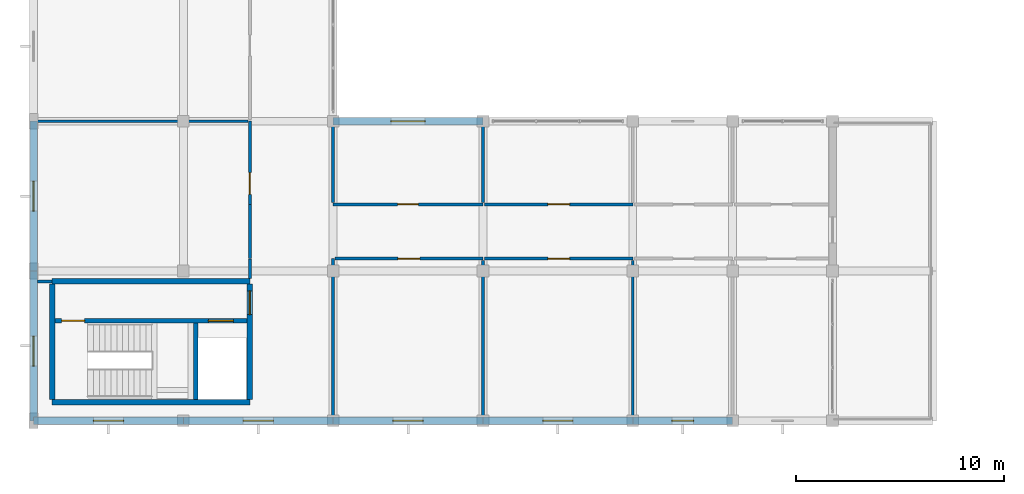
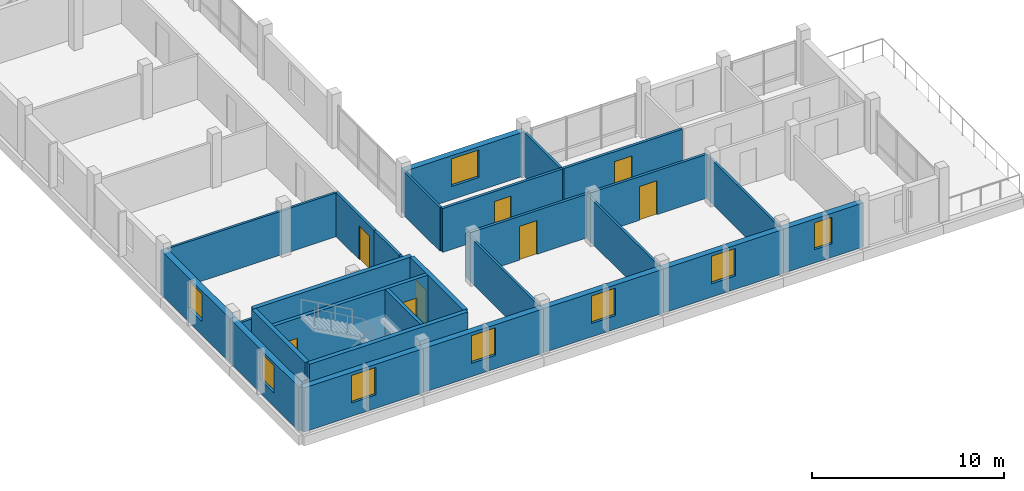
# One storey, part 67 of 84: 28 walls, 8 doors, 8 windows, 16 openings.
"""IFC4 building model written with IfcOpenShell, lengths in metres."""

import ifcopenshell
import ifcopenshell.guid

model = None  # the IFC model being written
_history = None  # IfcOwnerHistory: only IFC2X3 demands one
_inside = {}  # id of a spatial element -> (the spatial element, [elements in it])
_under = {}  # id of a project, library or spatial element -> (it, [spatial elements below it])
_declared = {}  # id of a project -> (the project, [libraries it declares])
_typed = {}  # id of a type object -> (the type object, [elements of that type])
_made_of = {}  # id of a material, layer set ... -> (it, [elements and type objects made of it])


def new_model(schema):
    """Start an empty IFC model of exactly this schema.

    Asked for "IFC4X3", IfcOpenShell would pick the latest addendum, in which some entities
    have other attributes; the version numbers below select the first issue.
    IFC2X3 requires an IfcOwnerHistory on every rooted entity: one is made here for all.
    """
    global model, _history
    if schema == "IFC4X3":
        model = ifcopenshell.file(schema_version=(4, 3, 0, 0))
    else:
        model = ifcopenshell.file(schema=schema)
    _inside.clear()
    _under.clear()
    _declared.clear()
    _typed.clear()
    _made_of.clear()
    _history = None
    if model.schema == "IFC2X3":
        org = make("IfcOrganization", Name="unknown")
        user = make(
            "IfcPersonAndOrganization",
            ThePerson=make("IfcPerson", FamilyName="unknown"),
            TheOrganization=org,
        )
        app = make(
            "IfcApplication",
            ApplicationDeveloper=org,
            Version="unknown",
            ApplicationFullName="unknown",
            ApplicationIdentifier="unknown",
        )
        _history = make(
            "IfcOwnerHistory",
            OwningUser=user,
            OwningApplication=app,
            ChangeAction="ADDED",
            CreationDate=0,
        )
    return model


def make(cls, **values):
    """One entity of the class cls with the attributes given. An attribute that is None is left unset."""
    return model.create_entity(
        cls, **{name: value for name, value in values.items() if value is not None}
    )


def rooted(cls, **values):
    """An entity with a GlobalId (a new one), such as an element, a storey or a relation."""
    return make(cls, GlobalId=ifcopenshell.guid.new(), OwnerHistory=_history, **values)


def si_unit(unit_type, name, prefix=None):
    """IfcSIUnit, for example si_unit("LENGTHUNIT", "METRE", prefix="MILLI")."""
    return make("IfcSIUnit", UnitType=unit_type, Prefix=prefix, Name=name)


def assignment(units):
    """IfcUnitAssignment: the units of a project."""
    return None if units is None else make("IfcUnitAssignment", Units=units)


def point(xyz):
    """IfcCartesianPoint."""
    return None if xyz is None else make("IfcCartesianPoint", Coordinates=xyz)


def direction(xyz):
    """IfcDirection."""
    return None if xyz is None else make("IfcDirection", DirectionRatios=xyz)


def frame(location, z_axis=None, x_axis=None):
    """IfcAxis2Placement3D, a coordinate frame: its origin and axes. An axis left out is left unset."""
    return make(
        "IfcAxis2Placement3D",
        Location=point(location),
        Axis=direction(z_axis),
        RefDirection=direction(x_axis),
    )


def frame_2d(location, x_axis=None):
    """IfcAxis2Placement2D, a coordinate frame in the plane: its origin and x axis."""
    return make(
        "IfcAxis2Placement2D", Location=point(location), RefDirection=direction(x_axis)
    )


def origin():
    """The frame at (0, 0, 0) with its axes left unset."""
    return frame((0.0, 0.0, 0.0))


def origin_with_axes():
    """The frame at (0, 0, 0) with the z axis (0, 0, 1) and the x axis (1, 0, 0) written out."""
    return frame((0.0, 0.0, 0.0), z_axis=(0.0, 0.0, 1.0), x_axis=(1.0, 0.0, 0.0))


def place(relative_to, where):
    """IfcLocalPlacement: puts the frame where relative to a parent placement (None: the world)."""
    return make(
        "IfcLocalPlacement", PlacementRelTo=relative_to, RelativePlacement=where
    )


def context(
    kind, dimensions, precision=None, world=None, true_north=None, identifier=None
):
    """IfcGeometricRepresentationContext, for example the 3D "Model" context."""
    return make(
        "IfcGeometricRepresentationContext",
        ContextIdentifier=identifier,
        ContextType=kind,
        CoordinateSpaceDimension=dimensions,
        Precision=precision,
        WorldCoordinateSystem=world,
        TrueNorth=true_north,
    )


def subcontext(parent, identifier, kind, view, scale=None):
    """IfcGeometricRepresentationSubContext, for example "Body" below "Model"."""
    return make(
        "IfcGeometricRepresentationSubContext",
        ContextIdentifier=identifier,
        ContextType=kind,
        ParentContext=parent,
        TargetScale=scale,
        TargetView=view,
    )


def project(units=None, contexts=None):
    """IfcProject with its units and contexts."""
    return rooted(
        "IfcProject",
        Name="project",
        RepresentationContexts=contexts,
        UnitsInContext=assignment(units),
    )


def spatial(cls, under=None, at=None, **own):
    """A site, building, storey or space (cls), placed at a placement, below another one or the project."""
    s = rooted(cls, ObjectPlacement=at, **own)
    if under is not None:
        _under.setdefault(under.id(), (under, []))[1].append(s)
    return s


def profile(cls, at=None, kind="AREA", **sizes):
    """A parametric profile (cls). Its sizes go by their IFC names, for example OverallWidth=200.0."""
    return make(cls, ProfileType=kind, Position=at, **sizes)


def rectangle(**sizes):
    """IfcRectangleProfileDef."""
    return profile("IfcRectangleProfileDef", **sizes)


def extrude(swept, where, along, depth):
    """IfcExtrudedAreaSolid: the profile swept, set in the frame where, extruded along a direction by depth."""
    return make(
        "IfcExtrudedAreaSolid",
        SweptArea=swept,
        Position=where,
        ExtrudedDirection=direction(along),
        Depth=depth,
    )


def shape(context_of_items, identifier, shape_type, items):
    """IfcShapeRepresentation: the items that make up one representation, for example the "Body"."""
    return make(
        "IfcShapeRepresentation",
        ContextOfItems=context_of_items,
        RepresentationIdentifier=identifier,
        RepresentationType=shape_type,
        Items=items,
    )


def material(Name=None, Category=None):
    """IfcMaterial."""
    return make("IfcMaterial", Name=Name, Category=Category)


def layer(
    of_material, thickness, ventilated=None, Name=None, Category=None, Priority=None
):
    """IfcMaterialLayer: one layer of a wall or slab, of a material (None: an air gap)."""
    return make(
        "IfcMaterialLayer",
        Material=of_material,
        LayerThickness=thickness,
        IsVentilated=ventilated,
        Name=Name,
        Category=Category,
        Priority=Priority,
    )


def layer_set(layers, Name=None):
    """IfcMaterialLayerSet."""
    return make("IfcMaterialLayerSet", MaterialLayers=layers, LayerSetName=Name)


def made_of(thing, what):
    """Note that an element or type object is made of a material, layer set ...; save() writes the relation."""
    if what is not None:
        _made_of.setdefault(what.id(), (what, []))[1].append(thing)
    return thing


def type_object(cls, material=None, **own):
    """A type object (cls), such as IfcWallType, which elements share."""
    return made_of(rooted(cls, **own), material)


def element(
    cls,
    number,
    at=None,
    inside=None,
    cuts=None,
    type_object=None,
    material=None,
    context=None,
    identifier="Body",
    shape_type=None,
    held_by="IfcProductDefinitionShape",
    body=None,
    shapes=None,
    **own,
):
    """One element of the class cls, such as IfcWall. Its Tag is "e" and its number.

    at: its placement. inside: the storey or other place that contains it. cuts: it is an
    opening in that element (IfcRelVoidsElement). A single representation is given by context,
    identifier, shape_type and body (its items); several are given by shapes. held_by: the class
    of the entity that holds the representations. save() writes the other relations.
    """
    e = rooted(cls, Tag="e%d" % number, ObjectPlacement=at, **own)
    if body is not None:
        shapes = [shape(context, identifier, shape_type, body)]
    if shapes is not None:
        e.Representation = make(held_by, Representations=shapes)
    if inside is not None:
        _inside.setdefault(inside.id(), (inside, []))[1].append(e)
    if cuts is not None:
        rooted(
            "IfcRelVoidsElement", RelatingBuildingElement=cuts, RelatedOpeningElement=e
        )
    if type_object is not None:
        _typed.setdefault(type_object.id(), (type_object, []))[1].append(e)
    return made_of(e, material)


def fill(opening, filler):
    """IfcRelFillsElement: the door or window that sits in an opening."""
    return rooted(
        "IfcRelFillsElement",
        RelatingOpeningElement=opening,
        RelatedBuildingElement=filler,
    )


def aggregate(whole, parts):
    """IfcRelAggregates: a whole, such as a stair, and the parts it consists of."""
    return rooted("IfcRelAggregates", RelatingObject=whole, RelatedObjects=parts)


def save(model, path):
    """Write the relations noted so far, then the file.

    IfcRelAggregates (storeys below a building ...), IfcRelContainedInSpatialStructure (elements
    in a storey), IfcRelDefinesByType, IfcRelAssociatesMaterial and IfcRelDeclares: one each for
    every whole, place, type object, material and project.
    """
    for whole, parts in _under.values():
        aggregate(whole, parts)
    for where, things in _inside.values():
        rooted(
            "IfcRelContainedInSpatialStructure",
            RelatedElements=things,
            RelatingStructure=where,
        )
    for kind, things in _typed.values():
        rooted("IfcRelDefinesByType", RelatedObjects=things, RelatingType=kind)
    for what, things in _made_of.values():
        rooted("IfcRelAssociatesMaterial", RelatedObjects=things, RelatingMaterial=what)
    for by, libraries in _declared.values():
        rooted("IfcRelDeclares", RelatingContext=by, RelatedDefinitions=libraries)
    model.write(path)


model = new_model("IFC4")

# Units and contexts
model_context = context("Model", 3, precision=1e-05, world=origin(), true_north=direction((0.0, 1.0)))
body_context = subcontext(model_context, "Body", "Model", "MODEL_VIEW")
ifc_project = project(units=[si_unit("LENGTHUNIT", "METRE"), si_unit("AREAUNIT", "SQUARE_METRE"), si_unit("VOLUMEUNIT", "CUBIC_METRE"), si_unit("PLANEANGLEUNIT", "RADIAN"), si_unit("MASSUNIT", "GRAM", prefix="KILO")], contexts=[model_context])

# Site, building, storey
site_placement = place(None, origin())
site = spatial("IfcSite", under=ifc_project, at=site_placement, CompositionType="ELEMENT")
building_placement = place(site_placement, origin())
building = spatial("IfcBuilding", under=site, at=building_placement, Name="Zornivar Specialist Clinic", CompositionType="ELEMENT")
storey_placement = place(building_placement, frame((0.0, 0.0, 12.300048828125)))
storey = spatial("IfcBuildingStorey", under=building, at=storey_placement, Name="L03", CompositionType="ELEMENT", Elevation=12.300048828125)

# Wall, opening, window
ifc_material_1 = material(Name="Masonry Red-Ochre Brick and Stone Insulated Wall", Category="masonry")
ifc_layer_1 = layer(ifc_material_1, 0.360107421875)
ifc_layer_set_1 = layer_set([ifc_layer_1], Name="Masonry Red-Ochre Brick and Stone Insulated Wall")
wall_type_1 = type_object("IfcWallType", Name="EW-BRICK-360", PredefinedType="SOLIDWALL", material=ifc_layer_set_1)
wall_1_placement = place(storey_placement, origin_with_axes())
wall_1 = element("IfcWall", 1, at=wall_1_placement, inside=storey, type_object=wall_type_1, Name="ew:V2:L03:00", PredefinedType="SOLIDWALL", context=body_context, shape_type="SweptSolid", body=[
    extrude(rectangle(XDim=7.199951171875, YDim=0.360107421875, at=frame_2d((3.60009765625, 0.0))), origin(), (0.0, 0.0, 1.0), 2.800048828125),
])
opening_1_placement = place(wall_1_placement, frame((2.875, 0.0, 0.85009765625)))
opening_1 = element("IfcOpeningElement", 2, at=opening_1_placement, cuts=wall_1, Name="Opening W-08", PredefinedType="OPENING", context=body_context, shape_type="SweptSolid", body=[
    extrude(rectangle(XDim=1.449951171875, YDim=1.75, at=frame_2d((0.72509765625, 0.875))), frame((0.0, 0.18994140625, 0.0), z_axis=(0.0, -1.0, 0.0), x_axis=(1.0, 0.0, 0.0)), (0.0, 0.0, 1.0), 0.380126953125),
])
ifc_material_2 = material(Name="Triple-Glazed Aluminium-Timber Window Glass", Category="wood")
window_type_1 = type_object("IfcWindowType", Name="WIN-CUMBA-STREET-1450x1750", PartitioningType="SINGLE_PANEL", PredefinedType="WINDOW", material=ifc_material_2)
window_1_placement = place(opening_1_placement, origin())
window_1 = element("IfcWindow", 3, at=window_1_placement, inside=storey, type_object=window_type_1, Name="win:V2:L03:00", OverallHeight=1.75, OverallWidth=1.449951171875, PartitioningType="SINGLE_PANEL", PredefinedType="WINDOW", context=body_context, shape_type="SweptSolid", body=[
    extrude(rectangle(XDim=1.449951171875, YDim=1.75, at=frame_2d((0.72509765625, 0.875))), frame((0.0, 0.030029296875, 0.0), z_axis=(0.0, -1.0, 0.0), x_axis=(1.0, 0.0, 0.0)), (0.0, 0.0, 1.0), 0.06005859375),
])
fill(opening_1, window_1)

wall_2_placement = place(storey_placement, frame((7.199951171875, 0.0, 0.0), z_axis=(0.0, 0.0, 1.0), x_axis=(1.0, 0.0, 0.0)))
wall_2 = element("IfcWall", 4, at=wall_2_placement, inside=storey, type_object=wall_type_1, Name="ew:V2:L03:01", PredefinedType="SOLIDWALL", context=body_context, shape_type="SweptSolid", body=[
    extrude(rectangle(XDim=7.199951171875, YDim=0.360107421875, at=frame_2d((3.60009765625, 0.0))), origin(), (0.0, 0.0, 1.0), 2.800048828125),
])
opening_2_placement = place(wall_2_placement, frame((2.875, 0.0, 0.85009765625)))
opening_2 = element("IfcOpeningElement", 5, at=opening_2_placement, cuts=wall_2, Name="Opening W-08", PredefinedType="OPENING", context=body_context, shape_type="SweptSolid", body=[
    extrude(rectangle(XDim=1.449951171875, YDim=1.75, at=frame_2d((0.72509765625, 0.875))), frame((0.0, 0.18994140625, 0.0), z_axis=(0.0, -1.0, 0.0), x_axis=(1.0, 0.0, 0.0)), (0.0, 0.0, 1.0), 0.380126953125),
])
window_2_placement = place(opening_2_placement, origin())
window_2 = element("IfcWindow", 6, at=window_2_placement, inside=storey, type_object=window_type_1, Name="win:V2:L03:01", OverallHeight=1.75, OverallWidth=1.449951171875, PartitioningType="SINGLE_PANEL", PredefinedType="WINDOW", context=body_context, shape_type="SweptSolid", body=[
    extrude(rectangle(XDim=1.449951171875, YDim=1.75, at=frame_2d((0.72509765625, 0.875))), frame((0.0, 0.030029296875, 0.0), z_axis=(0.0, -1.0, 0.0), x_axis=(1.0, 0.0, 0.0)), (0.0, 0.0, 1.0), 0.06005859375),
])
fill(opening_2, window_2)

wall_3_placement = place(storey_placement, frame((14.39990234375, 0.0, 0.0), z_axis=(0.0, 0.0, 1.0), x_axis=(1.0, 0.0, 0.0)))
wall_3 = element("IfcWall", 7, at=wall_3_placement, inside=storey, type_object=wall_type_1, Name="ew:V2:L03:02", PredefinedType="SOLIDWALL", context=body_context, shape_type="SweptSolid", body=[
    extrude(rectangle(XDim=7.2001953125, YDim=0.360107421875, at=frame_2d((3.60009765625, 0.0))), origin(), (0.0, 0.0, 1.0), 2.800048828125),
])
opening_3_placement = place(wall_3_placement, frame((2.875, 0.0, 0.85009765625)))
opening_3 = element("IfcOpeningElement", 8, at=opening_3_placement, cuts=wall_3, Name="Opening W-08", PredefinedType="OPENING", context=body_context, shape_type="SweptSolid", body=[
    extrude(rectangle(XDim=1.449951171875, YDim=1.75, at=frame_2d((0.72509765625, 0.875))), frame((0.0, 0.18994140625, 0.0), z_axis=(0.0, -1.0, 0.0), x_axis=(1.0, 0.0, 0.0)), (0.0, 0.0, 1.0), 0.380126953125),
])
window_3_placement = place(opening_3_placement, origin())
window_3 = element("IfcWindow", 9, at=window_3_placement, inside=storey, type_object=window_type_1, Name="win:V2:L03:02", OverallHeight=1.75, OverallWidth=1.449951171875, PartitioningType="SINGLE_PANEL", PredefinedType="WINDOW", context=body_context, shape_type="SweptSolid", body=[
    extrude(rectangle(XDim=1.449951171875, YDim=1.75, at=frame_2d((0.72509765625, 0.875))), frame((0.0, 0.030029296875, 0.0), z_axis=(0.0, -1.0, 0.0), x_axis=(1.0, 0.0, 0.0)), (0.0, 0.0, 1.0), 0.06005859375),
])
fill(opening_3, window_3)

wall_4_placement = place(storey_placement, frame((21.60009765625, 0.0, 0.0), z_axis=(0.0, 0.0, 1.0), x_axis=(1.0, 0.0, 0.0)))
wall_4 = element("IfcWall", 10, at=wall_4_placement, inside=storey, type_object=wall_type_1, Name="ew:V2:L03:03", PredefinedType="SOLIDWALL", context=body_context, shape_type="SweptSolid", body=[
    extrude(rectangle(XDim=7.199951171875, YDim=0.360107421875, at=frame_2d((3.60009765625, 0.0))), origin(), (0.0, 0.0, 1.0), 2.800048828125),
])
opening_4_placement = place(wall_4_placement, frame((2.875, 0.0, 0.85009765625)))
opening_4 = element("IfcOpeningElement", 11, at=opening_4_placement, cuts=wall_4, Name="Opening W-08", PredefinedType="OPENING", context=body_context, shape_type="SweptSolid", body=[
    extrude(rectangle(XDim=1.449951171875, YDim=1.75, at=frame_2d((0.72509765625, 0.875))), frame((0.0, 0.18994140625, 0.0), z_axis=(0.0, -1.0, 0.0), x_axis=(1.0, 0.0, 0.0)), (0.0, 0.0, 1.0), 0.380126953125),
])
window_4_placement = place(opening_4_placement, origin())
window_4 = element("IfcWindow", 12, at=window_4_placement, inside=storey, type_object=window_type_1, Name="win:V2:L03:03", OverallHeight=1.75, OverallWidth=1.449951171875, PartitioningType="SINGLE_PANEL", PredefinedType="WINDOW", context=body_context, shape_type="SweptSolid", body=[
    extrude(rectangle(XDim=1.449951171875, YDim=1.75, at=frame_2d((0.72509765625, 0.875))), frame((0.0, 0.030029296875, 0.0), z_axis=(0.0, -1.0, 0.0), x_axis=(1.0, 0.0, 0.0)), (0.0, 0.0, 1.0), 0.06005859375),
])
fill(opening_4, window_4)

wall_5_placement = place(storey_placement, frame((28.800048828125, 0.0, 0.0), z_axis=(0.0, 0.0, 1.0), x_axis=(1.0, 0.0, 0.0)))
wall_5 = element("IfcWall", 13, at=wall_5_placement, inside=storey, type_object=wall_type_1, Name="ew:V2:L03:04", PredefinedType="SOLIDWALL", context=body_context, shape_type="SweptSolid", body=[
    extrude(rectangle(XDim=4.800048828125, YDim=0.360107421875, at=frame_2d((2.39990234375, 0.0))), origin(), (0.0, 0.0, 1.0), 2.800048828125),
])
opening_5_placement = place(wall_5_placement, frame((1.875, 0.0, 0.85009765625)))
opening_5 = element("IfcOpeningElement", 14, at=opening_5_placement, cuts=wall_5, Name="Opening W-10", PredefinedType="OPENING", context=body_context, shape_type="SweptSolid", body=[
    extrude(rectangle(XDim=1.050048828125, YDim=1.699951171875, at=frame_2d((0.52490234375, 0.85009765625))), frame((0.0, 0.18994140625, 0.0), z_axis=(0.0, -1.0, 0.0), x_axis=(1.0, 0.0, 0.0)), (0.0, 0.0, 1.0), 0.380126953125),
])
ifc_material_3 = material(Name="Triple-Glazed Aluminium-Timber Window Glass", Category="wood")
window_type_2 = type_object("IfcWindowType", Name="WIN-CUMBA-PIER-1050x1700", PartitioningType="SINGLE_PANEL", PredefinedType="WINDOW", material=ifc_material_3)
window_5_placement = place(opening_5_placement, origin())
window_5 = element("IfcWindow", 15, at=window_5_placement, inside=storey, type_object=window_type_2, Name="win:V2:L03:04", OverallHeight=1.699951171875, OverallWidth=1.050048828125, PartitioningType="SINGLE_PANEL", PredefinedType="WINDOW", context=body_context, shape_type="SweptSolid", body=[
    extrude(rectangle(XDim=1.050048828125, YDim=1.699951171875, at=frame_2d((0.52490234375, 0.85009765625))), frame((0.0, 0.030029296875, 0.0), z_axis=(0.0, -1.0, 0.0), x_axis=(1.0, 0.0, 0.0)), (0.0, 0.0, 1.0), 0.06005859375),
])
fill(opening_5, window_5)

wall_6_placement = place(storey_placement, frame((21.60009765625, 14.39990234375, 0.0), z_axis=(0.0, 0.0, 1.0), x_axis=(-1.0, 0.0, 0.0)))
wall_6 = element("IfcWall", 16, at=wall_6_placement, inside=storey, type_object=wall_type_1, Name="ew:V2:L03:11", PredefinedType="SOLIDWALL", context=body_context, shape_type="SweptSolid", body=[
    extrude(rectangle(XDim=7.2001953125, YDim=0.360107421875, at=frame_2d((3.60009765625, 0.0))), origin(), (0.0, 0.0, 1.0), 2.800048828125),
])
opening_6_placement = place(wall_6_placement, frame((2.77490234375, 0.0, 0.85009765625)))
opening_6 = element("IfcOpeningElement", 17, at=opening_6_placement, cuts=wall_6, Name="Opening W-09", PredefinedType="OPENING", context=body_context, shape_type="SweptSolid", body=[
    extrude(rectangle(XDim=1.64990234375, YDim=1.75, at=frame_2d((0.824951171875, 0.875))), frame((0.0, 0.18994140625, 0.0), z_axis=(0.0, -1.0, 0.0), x_axis=(1.0, 0.0, 0.0)), (0.0, 0.0, 1.0), 0.380126953125),
])
ifc_material_4 = material(Name="Triple-Glazed Aluminium-Timber Window Glass", Category="wood")
window_type_3 = type_object("IfcWindowType", Name="WIN-CUMBA-COURT-1650x1750", PartitioningType="SINGLE_PANEL", PredefinedType="WINDOW", material=ifc_material_4)
window_6_placement = place(opening_6_placement, origin())
window_6 = element("IfcWindow", 18, at=window_6_placement, inside=storey, type_object=window_type_3, Name="win:V2:L03:11", OverallHeight=1.75, OverallWidth=1.64990234375, PartitioningType="SINGLE_PANEL", PredefinedType="WINDOW", context=body_context, shape_type="SweptSolid", body=[
    extrude(rectangle(XDim=1.64990234375, YDim=1.75, at=frame_2d((0.824951171875, 0.875))), frame((0.0, 0.030029296875, 0.0), z_axis=(0.0, -1.0, 0.0), x_axis=(1.0, 0.0, 0.0)), (0.0, 0.0, 1.0), 0.06005859375),
])
fill(opening_6, window_6)

wall_7_placement = place(storey_placement, frame((0.0, 14.39990234375, 0.0), z_axis=(0.0, 0.0, 1.0), x_axis=(0.0, -1.0, 0.0)))
wall_7 = element("IfcWall", 19, at=wall_7_placement, inside=storey, type_object=wall_type_1, Name="ew:V2:L03:26", PredefinedType="SOLIDWALL", context=body_context, shape_type="SweptSolid", body=[
    extrude(rectangle(XDim=7.199951171875, YDim=0.360107421875, at=frame_2d((3.60009765625, 0.0))), origin(), (0.0, 0.0, 1.0), 2.800048828125),
])
opening_7_placement = place(wall_7_placement, frame((2.875, 0.0, 0.85009765625)))
opening_7 = element("IfcOpeningElement", 20, at=opening_7_placement, cuts=wall_7, Name="Opening W-08", PredefinedType="OPENING", context=body_context, shape_type="SweptSolid", body=[
    extrude(rectangle(XDim=1.449951171875, YDim=1.75, at=frame_2d((0.72509765625, 0.875))), frame((0.0, 0.18994140625, 0.0), z_axis=(0.0, -1.0, 0.0), x_axis=(1.0, 0.0, 0.0)), (0.0, 0.0, 1.0), 0.380126953125),
])
window_7_placement = place(opening_7_placement, origin())
window_7 = element("IfcWindow", 21, at=window_7_placement, inside=storey, type_object=window_type_1, Name="win:V2:L03:26", OverallHeight=1.75, OverallWidth=1.449951171875, PartitioningType="SINGLE_PANEL", PredefinedType="WINDOW", context=body_context, shape_type="SweptSolid", body=[
    extrude(rectangle(XDim=1.449951171875, YDim=1.75, at=frame_2d((0.72509765625, 0.875))), frame((0.0, 0.030029296875, 0.0), z_axis=(0.0, -1.0, 0.0), x_axis=(1.0, 0.0, 0.0)), (0.0, 0.0, 1.0), 0.06005859375),
])
fill(opening_7, window_7)

wall_8_placement = place(storey_placement, frame((0.0, 7.199951171875, 0.0), z_axis=(0.0, 0.0, 1.0), x_axis=(0.0, -1.0, 0.0)))
wall_8 = element("IfcWall", 22, at=wall_8_placement, inside=storey, type_object=wall_type_1, Name="ew:V2:L03:27", PredefinedType="SOLIDWALL", context=body_context, shape_type="SweptSolid", body=[
    extrude(rectangle(XDim=7.199951171875, YDim=0.360107421875, at=frame_2d((3.60009765625, 0.0))), origin(), (0.0, 0.0, 1.0), 2.800048828125),
])
opening_8_placement = place(wall_8_placement, frame((3.125, 0.0, 0.85009765625)))
opening_8 = element("IfcOpeningElement", 23, at=opening_8_placement, cuts=wall_8, Name="Opening W-08", PredefinedType="OPENING", context=body_context, shape_type="SweptSolid", body=[
    extrude(rectangle(XDim=1.449951171875, YDim=1.75, at=frame_2d((0.72509765625, 0.875))), frame((0.0, 0.18994140625, 0.0), z_axis=(0.0, -1.0, 0.0), x_axis=(1.0, 0.0, 0.0)), (0.0, 0.0, 1.0), 0.380126953125),
])
window_8_placement = place(opening_8_placement, origin())
window_8 = element("IfcWindow", 24, at=window_8_placement, inside=storey, type_object=window_type_1, Name="win:V2:L03:27", OverallHeight=1.75, OverallWidth=1.449951171875, PartitioningType="SINGLE_PANEL", PredefinedType="WINDOW", context=body_context, shape_type="SweptSolid", body=[
    extrude(rectangle(XDim=1.449951171875, YDim=1.75, at=frame_2d((0.72509765625, 0.875))), frame((0.0, 0.030029296875, 0.0), z_axis=(0.0, -1.0, 0.0), x_axis=(1.0, 0.0, 0.0)), (0.0, 0.0, 1.0), 0.06005859375),
])
fill(opening_8, window_8)

# Walls
ifc_material_5 = material(Name="Acoustic Clinical Stud Partition")
ifc_layer_2 = layer(ifc_material_5, 0.139892578125)
ifc_layer_set_2 = layer_set([ifc_layer_2], Name="Acoustic Clinical Stud Partition")
wall_type_2 = type_object("IfcWallType", Name="IW-CLIN-140", PredefinedType="PARTITIONING", material=ifc_layer_set_2)
wall_9_placement = place(storey_placement, frame((0.89990234375, 6.699951171875, 0.0), z_axis=(0.0, 0.0, 1.0), x_axis=(-1.0, 0.0, 0.0)))
element("IfcWall", 25, at=wall_9_placement, inside=storey, type_object=wall_type_2, Name="iw:L03:050", PredefinedType="PARTITIONING", context=body_context, shape_type="SweptSolid", body=[
    extrude(rectangle(XDim=0.704833984375, YDim=0.139892578125, at=frame_2d((0.3525390625, 0.0))), origin(), (0.0, 0.0, 1.0), 2.780029296875),
])
wall_10_placement = place(storey_placement, frame((0.195068359375, 14.39990234375, 0.0), z_axis=(0.0, 0.0, 1.0), x_axis=(1.0, 0.0, 0.0)))
element("IfcWall", 26, at=wall_10_placement, inside=storey, type_object=wall_type_2, Name="iw:L03:051", PredefinedType="PARTITIONING", context=body_context, shape_type="SweptSolid", body=[
    extrude(rectangle(XDim=10.11083984375, YDim=0.139892578125, at=frame_2d((5.055419921875, 0.0))), origin(), (0.0, 0.0, 1.0), 2.780029296875),
])
wall_11_placement = place(storey_placement, frame((14.39990234375, 0.195068359375, 0.0), z_axis=(0.0, 0.0, 1.0), x_axis=(0.0, 1.0, 0.0)))
element("IfcWall", 27, at=wall_11_placement, inside=storey, type_object=wall_type_2, Name="iw:L03:064", PredefinedType="PARTITIONING", context=body_context, shape_type="SweptSolid", body=[
    extrude(rectangle(XDim=7.60498046875, YDim=0.139892578125, at=frame_2d((3.802490234375, 0.0))), origin(), (0.0, 0.0, 1.0), 2.780029296875),
])
wall_12_placement = place(storey_placement, frame((21.60009765625, 7.7060546875, 0.0), z_axis=(0.0, 0.0, 1.0), x_axis=(0.0, -1.0, 0.0)))
element("IfcWall", 28, at=wall_12_placement, inside=storey, type_object=wall_type_2, Name="iw:L03:066", PredefinedType="PARTITIONING", context=body_context, shape_type="SweptSolid", body=[
    extrude(rectangle(XDim=7.510986328125, YDim=0.139892578125, at=frame_2d((3.75537109375, 0.0))), origin(), (0.0, 0.0, 1.0), 2.780029296875),
])
for number, where, z_axis, x_axis, name in (
    (29, (14.39990234375, 10.493896484375, 0.0), (0.0, 0.0, 1.0), (0.0, 1.0, 0.0), "iw:L03:068"),
    (30, (21.60009765625, 14.205078125, 0.0), (0.0, 0.0, 1.0), (0.0, -1.0, 0.0), "iw:L03:069"),
):
    element("IfcWall", number, at=place(storey_placement, frame(where, z_axis=z_axis, x_axis=x_axis)), inside=storey, type_object=wall_type_2, Name=name, PredefinedType="PARTITIONING", context=body_context, shape_type="SweptSolid", body=[
        extrude(rectangle(XDim=3.711181640625, YDim=0.139892578125, at=frame_2d((1.85546875, 0.0))), origin(), (0.0, 0.0, 1.0), 2.780029296875),
    ])
wall_13_placement = place(storey_placement, frame((28.800048828125, 7.7060546875, 0.0), z_axis=(0.0, 0.0, 1.0), x_axis=(0.0, -1.0, 0.0)))
element("IfcWall", 31, at=wall_13_placement, inside=storey, type_object=wall_type_2, Name="iw:L03:071", PredefinedType="PARTITIONING", context=body_context, shape_type="SweptSolid", body=[
    extrude(rectangle(XDim=7.510986328125, YDim=0.139892578125, at=frame_2d((3.75537109375, 0.0))), origin(), (0.0, 0.0, 1.0), 2.780029296875),
])

# Wall, opening, door
ifc_material_6 = material(Name="Gypsum Fire-Rated Double Stud Partition")
ifc_layer_3 = layer(ifc_material_6, 0.159912109375)
ifc_layer_set_3 = layer_set([ifc_layer_3], Name="Gypsum Fire-Rated Double Stud Partition")
wall_type_3 = type_object("IfcWallType", Name="IW-CORR-EI60-160", PredefinedType="PARTITIONING", material=ifc_layer_set_3)
wall_14_placement = place(storey_placement, frame((10.39990234375, 14.39990234375, 0.0), z_axis=(0.0, 0.0, 1.0), x_axis=(0.0, -1.0, 0.0)))
wall_14 = element("IfcWall", 32, at=wall_14_placement, inside=storey, type_object=wall_type_3, Name="iw:L03:047", PredefinedType="PARTITIONING", context=body_context, shape_type="SweptSolid", body=[
    extrude(rectangle(XDim=4.0, YDim=0.159912109375, at=frame_2d((2.0, 0.0))), origin(), (0.0, 0.0, 1.0), 2.780029296875),
])
opening_9_placement = place(wall_14_placement, frame((2.469970703125, 0.0, 0.0)))
opening_9 = element("IfcOpeningElement", 33, at=opening_9_placement, cuts=wall_14, Name="Opening ID-03", PredefinedType="OPENING", context=body_context, shape_type="SweptSolid", body=[
    extrude(rectangle(XDim=1.050048828125, YDim=2.14990234375, at=frame_2d((0.52490234375, 1.074951171875))), frame((0.0, 0.08984375, 0.0), z_axis=(0.0, -1.0, 0.0), x_axis=(1.0, 0.0, 0.0)), (0.0, 0.0, 1.0), 0.179931640625),
])
ifc_material_7 = material(Name="Solid-Core Hygienic Laminate Timber Door", Category="wood")
door_type_1 = type_object("IfcDoorType", Name="ID-CONS-1050x2150", OperationType="NOTDEFINED", PredefinedType="DOOR", material=ifc_material_7)
door_1_placement = place(opening_9_placement, origin())
door_1 = element("IfcDoor", 34, at=door_1_placement, inside=storey, type_object=door_type_1, Name="door:space:V2:L03:rm:00", OperationType="SINGLE_SWING_RIGHT", OverallHeight=2.14990234375, OverallWidth=1.050048828125, PredefinedType="DOOR", context=body_context, shape_type="SweptSolid", body=[
    extrude(rectangle(XDim=1.050048828125, YDim=2.14990234375, at=frame_2d((0.52490234375, 1.074951171875))), frame((0.0, 0.02490234375, 0.0), z_axis=(0.0, -1.0, 0.0), x_axis=(1.0, 0.0, 0.0)), (0.0, 0.0, 1.0), 0.050048828125),
])
fill(opening_9, door_1)

# Walls
wall_15_placement = place(storey_placement, frame((10.39990234375, 10.387939453125, 0.0), z_axis=(0.0, 0.0, 1.0), x_axis=(0.0, -1.0, 0.0)))
element("IfcWall", 35, at=wall_15_placement, inside=storey, type_object=wall_type_3, Name="iw:L03:048", PredefinedType="PARTITIONING", context=body_context, shape_type="SweptSolid", body=[
    extrude(rectangle(XDim=2.587890625, YDim=0.159912109375, at=frame_2d((1.2939453125, 0.0))), origin(), (0.0, 0.0, 1.0), 2.780029296875),
])
wall_16_placement = place(storey_placement, frame((10.39990234375, 7.7880859375, 0.0), z_axis=(0.0, 0.0, 1.0), x_axis=(0.0, -1.0, 0.0)))
element("IfcWall", 36, at=wall_16_placement, inside=storey, type_object=wall_type_3, Name="iw:L03:049", PredefinedType="PARTITIONING", context=body_context, shape_type="SweptSolid", body=[
    extrude(rectangle(XDim=0.943115234375, YDim=0.159912109375, at=frame_2d((0.4716796875, 0.0))), origin(), (0.0, 0.0, 1.0), 2.780029296875),
])

# Wall, opening, door
wall_17_placement = place(storey_placement, frame((14.48388671875, 7.800048828125, 0.0), z_axis=(0.0, 0.0, 1.0), x_axis=(1.0, 0.0, 0.0)))
wall_17 = element("IfcWall", 37, at=wall_17_placement, inside=storey, type_object=wall_type_3, Name="iw:L03:065", PredefinedType="PARTITIONING", context=body_context, shape_type="SweptSolid", body=[
    extrude(rectangle(XDim=7.1162109375, YDim=0.159912109375, at=frame_2d((3.55810546875, 0.0))), origin(), (0.0, 0.0, 1.0), 2.780029296875),
])
opening_10_placement = place(wall_17_placement, frame((3.032958984375, 0.0, 0.0)))
opening_10 = element("IfcOpeningElement", 38, at=opening_10_placement, cuts=wall_17, Name="Opening ID-03", PredefinedType="OPENING", context=body_context, shape_type="SweptSolid", body=[
    extrude(rectangle(XDim=1.050048828125, YDim=2.14990234375, at=frame_2d((0.52490234375, 1.074951171875))), frame((0.0, 0.08984375, 0.0), z_axis=(0.0, -1.0, 0.0), x_axis=(1.0, 0.0, 0.0)), (0.0, 0.0, 1.0), 0.179931640625),
])
door_2_placement = place(opening_10_placement, origin())
door_2 = element("IfcDoor", 39, at=door_2_placement, inside=storey, type_object=door_type_1, Name="door:space:V2:L03:rm:07", OperationType="SINGLE_SWING_LEFT", OverallHeight=2.14990234375, OverallWidth=1.050048828125, PredefinedType="DOOR", context=body_context, shape_type="SweptSolid", body=[
    extrude(rectangle(XDim=1.050048828125, YDim=2.14990234375, at=frame_2d((0.52490234375, 1.074951171875))), frame((0.0, 0.02490234375, 0.0), z_axis=(0.0, -1.0, 0.0), x_axis=(1.0, 0.0, 0.0)), (0.0, 0.0, 1.0), 0.050048828125),
])
fill(opening_10, door_2)

wall_18_placement = place(storey_placement, frame((21.60009765625, 10.39990234375, 0.0), z_axis=(0.0, 0.0, 1.0), x_axis=(-1.0, 0.0, 0.0)))
wall_18 = element("IfcWall", 40, at=wall_18_placement, inside=storey, type_object=wall_type_3, Name="iw:L03:067", PredefinedType="PARTITIONING", context=body_context, shape_type="SweptSolid", body=[
    extrude(rectangle(XDim=7.2001953125, YDim=0.159912109375, at=frame_2d((3.60009765625, 0.0))), origin(), (0.0, 0.0, 1.0), 2.780029296875),
])
opening_11_placement = place(wall_18_placement, frame((3.10009765625, 0.0, 0.0)))
opening_11 = element("IfcOpeningElement", 41, at=opening_11_placement, cuts=wall_18, Name="Opening ID-04", PredefinedType="OPENING", context=body_context, shape_type="SweptSolid", body=[
    extrude(rectangle(XDim=1.0, YDim=2.14990234375, at=frame_2d((0.5, 1.074951171875))), frame((0.0, 0.08984375, 0.0), z_axis=(0.0, -1.0, 0.0), x_axis=(1.0, 0.0, 0.0)), (0.0, 0.0, 1.0), 0.179931640625),
])
ifc_material_8 = material(Name="Solid-Core Hygienic Laminate Timber Door", Category="wood")
door_type_2 = type_object("IfcDoorType", Name="ID-EXAM-1000x2150", OperationType="NOTDEFINED", PredefinedType="DOOR", material=ifc_material_8)
door_3_placement = place(opening_11_placement, origin())
door_3 = element("IfcDoor", 42, at=door_3_placement, inside=storey, type_object=door_type_2, Name="door:space:V2:L03:rm:08", OperationType="SINGLE_SWING_RIGHT", OverallHeight=2.14990234375, OverallWidth=1.0, PredefinedType="DOOR", context=body_context, shape_type="SweptSolid", body=[
    extrude(rectangle(XDim=1.0, YDim=2.14990234375, at=frame_2d((0.5, 1.074951171875))), frame((0.0, 0.02490234375, 0.0), z_axis=(0.0, -1.0, 0.0), x_axis=(1.0, 0.0, 0.0)), (0.0, 0.0, 1.0), 0.050048828125),
])
fill(opening_11, door_3)

wall_19_placement = place(storey_placement, frame((21.68408203125, 7.800048828125, 0.0), z_axis=(0.0, 0.0, 1.0), x_axis=(1.0, 0.0, 0.0)))
wall_19 = element("IfcWall", 43, at=wall_19_placement, inside=storey, type_object=wall_type_3, Name="iw:L03:070", PredefinedType="PARTITIONING", context=body_context, shape_type="SweptSolid", body=[
    extrude(rectangle(XDim=7.115966796875, YDim=0.159912109375, at=frame_2d((3.55810546875, 0.0))), origin(), (0.0, 0.0, 1.0), 2.780029296875),
])
opening_12_placement = place(wall_19_placement, frame((3.032958984375, 0.0, 0.0)))
opening_12 = element("IfcOpeningElement", 44, at=opening_12_placement, cuts=wall_19, Name="Opening ID-03", PredefinedType="OPENING", context=body_context, shape_type="SweptSolid", body=[
    extrude(rectangle(XDim=1.050048828125, YDim=2.14990234375, at=frame_2d((0.52490234375, 1.074951171875))), frame((0.0, 0.08984375, 0.0), z_axis=(0.0, -1.0, 0.0), x_axis=(1.0, 0.0, 0.0)), (0.0, 0.0, 1.0), 0.179931640625),
])
door_4_placement = place(opening_12_placement, origin())
door_4 = element("IfcDoor", 45, at=door_4_placement, inside=storey, type_object=door_type_1, Name="door:space:V2:L03:rm:09", OperationType="SINGLE_SWING_LEFT", OverallHeight=2.14990234375, OverallWidth=1.050048828125, PredefinedType="DOOR", context=body_context, shape_type="SweptSolid", body=[
    extrude(rectangle(XDim=1.050048828125, YDim=2.14990234375, at=frame_2d((0.52490234375, 1.074951171875))), frame((0.0, 0.02490234375, 0.0), z_axis=(0.0, -1.0, 0.0), x_axis=(1.0, 0.0, 0.0)), (0.0, 0.0, 1.0), 0.050048828125),
])
fill(opening_12, door_4)

wall_20_placement = place(storey_placement, frame((28.800048828125, 10.39990234375, 0.0), z_axis=(0.0, 0.0, 1.0), x_axis=(-1.0, 0.0, 0.0)))
wall_20 = element("IfcWall", 46, at=wall_20_placement, inside=storey, type_object=wall_type_3, Name="iw:L03:072", PredefinedType="PARTITIONING", context=body_context, shape_type="SweptSolid", body=[
    extrude(rectangle(XDim=7.115966796875, YDim=0.159912109375, at=frame_2d((3.55810546875, 0.0))), origin(), (0.0, 0.0, 1.0), 2.780029296875),
])
opening_13_placement = place(wall_20_placement, frame((3.032958984375, 0.0, 0.0)))
opening_13 = element("IfcOpeningElement", 47, at=opening_13_placement, cuts=wall_20, Name="Opening ID-03", PredefinedType="OPENING", context=body_context, shape_type="SweptSolid", body=[
    extrude(rectangle(XDim=1.050048828125, YDim=2.14990234375, at=frame_2d((0.52490234375, 1.074951171875))), frame((0.0, 0.08984375, 0.0), z_axis=(0.0, -1.0, 0.0), x_axis=(1.0, 0.0, 0.0)), (0.0, 0.0, 1.0), 0.179931640625),
])
door_5_placement = place(opening_13_placement, origin())
door_5 = element("IfcDoor", 48, at=door_5_placement, inside=storey, type_object=door_type_1, Name="door:space:V2:L03:rm:10", OperationType="SINGLE_SWING_RIGHT", OverallHeight=2.14990234375, OverallWidth=1.050048828125, PredefinedType="DOOR", context=body_context, shape_type="SweptSolid", body=[
    extrude(rectangle(XDim=1.050048828125, YDim=2.14990234375, at=frame_2d((0.52490234375, 1.074951171875))), frame((0.0, 0.02490234375, 0.0), z_axis=(0.0, -1.0, 0.0), x_axis=(1.0, 0.0, 0.0)), (0.0, 0.0, 1.0), 0.050048828125),
])
fill(opening_13, door_5)

# Wall
ifc_material_9 = material(Name="Concrete C35/45", Category="concrete")
ifc_layer_4 = layer(ifc_material_9, 0.260009765625)
ifc_layer_set_4 = layer_set([ifc_layer_4], Name="Concrete C35/45")
wall_type_4 = type_object("IfcWallType", Name="SW-CORE-260", PredefinedType="SHEAR", material=ifc_layer_set_4)
wall_21_placement = place(storey_placement, frame((0.89990234375, 0.89990234375, 0.0), z_axis=(0.0, 0.0, 1.0), x_axis=(1.0, 0.0, 0.0)))
element("IfcWall", 49, at=wall_21_placement, inside=storey, type_object=wall_type_4, Name="sw:C1:L03:w0", PredefinedType="SHEAR", context=body_context, shape_type="SweptSolid", body=[
    extrude(rectangle(XDim=9.5, YDim=0.260009765625, at=frame_2d((4.75, 0.0))), origin(), (0.0, 0.0, 1.0), 3.419921875),
])

# Wall, opening, door
wall_22_placement = place(storey_placement, frame((10.39990234375, 1.030029296875, 0.0), z_axis=(0.0, 0.0, 1.0), x_axis=(0.0, 1.0, 0.0)))
wall_22 = element("IfcWall", 50, at=wall_22_placement, inside=storey, type_object=wall_type_4, Name="sw:C1:L03:w1", PredefinedType="SHEAR", context=body_context, shape_type="SweptSolid", body=[
    extrude(rectangle(XDim=5.5400390625, YDim=0.260009765625, at=frame_2d((2.77001953125, 0.0))), origin(), (0.0, 0.0, 1.0), 3.419921875),
])
opening_14_placement = place(wall_22_placement, frame((4.070068359375, 0.0, 0.0)))
opening_14 = element("IfcOpeningElement", 51, at=opening_14_placement, cuts=wall_22, Name="Opening FD-03", PredefinedType="OPENING", context=body_context, shape_type="SweptSolid", body=[
    extrude(rectangle(XDim=1.14990234375, YDim=2.199951171875, at=frame_2d((0.574951171875, 1.10009765625))), frame((0.0, 0.139892578125, 0.0), z_axis=(0.0, -1.0, 0.0), x_axis=(1.0, 0.0, 0.0)), (0.0, 0.0, 1.0), 0.280029296875),
])
ifc_material_10 = material(Name="Solid-Core Hygienic Laminate Timber Door", Category="wood")
door_type_3 = type_object("IfcDoorType", Name="FD-LOBBY-UPPER-1150x2200", OperationType="NOTDEFINED", PredefinedType="DOOR", material=ifc_material_10)
door_6_placement = place(opening_14_placement, origin())
door_6 = element("IfcDoor", 52, at=door_6_placement, inside=storey, type_object=door_type_3, Name="door:C1:L03:lob", OperationType="SINGLE_SWING_RIGHT", OverallHeight=2.199951171875, OverallWidth=1.14990234375, PredefinedType="DOOR", context=body_context, shape_type="SweptSolid", body=[
    extrude(rectangle(XDim=1.14990234375, YDim=2.199951171875, at=frame_2d((0.574951171875, 1.10009765625))), frame((0.0, 0.02490234375, 0.0), z_axis=(0.0, -1.0, 0.0), x_axis=(1.0, 0.0, 0.0)), (0.0, 0.0, 1.0), 0.050048828125),
])
fill(opening_14, door_6)

# Walls
wall_23_placement = place(storey_placement, frame((10.39990234375, 6.699951171875, 0.0), z_axis=(0.0, 0.0, 1.0), x_axis=(-1.0, 0.0, 0.0)))
element("IfcWall", 53, at=wall_23_placement, inside=storey, type_object=wall_type_4, Name="sw:C1:L03:w2", PredefinedType="SHEAR", context=body_context, shape_type="SweptSolid", body=[
    extrude(rectangle(XDim=9.5, YDim=0.260009765625, at=frame_2d((4.75, 0.0))), origin(), (0.0, 0.0, 1.0), 3.419921875),
])
wall_24_placement = place(storey_placement, frame((0.89990234375, 6.570068359375, 0.0), z_axis=(0.0, 0.0, 1.0), x_axis=(0.0, -1.0, 0.0)))
element("IfcWall", 54, at=wall_24_placement, inside=storey, type_object=wall_type_4, Name="sw:C1:L03:w3", PredefinedType="SHEAR", context=body_context, shape_type="SweptSolid", body=[
    extrude(rectangle(XDim=5.5400390625, YDim=0.260009765625, at=frame_2d((2.77001953125, 0.0))), origin(), (0.0, 0.0, 1.0), 3.419921875),
])
ifc_material_11 = material(Name="Concrete C30/37", Category="concrete")
ifc_layer_5 = layer(ifc_material_11, 0.199951171875)
ifc_layer_set_5 = layer_set([ifc_layer_5], Name="Concrete C30/37")
wall_type_5 = type_object("IfcWallType", Name="SW-LIFT-200", PredefinedType="SHEAR", material=ifc_layer_set_5)
wall_25_placement = place(storey_placement, frame((7.800048828125, 1.030029296875, 0.0), z_axis=(0.0, 0.0, 1.0), x_axis=(0.0, 1.0, 0.0)))
element("IfcWall", 55, at=wall_25_placement, inside=storey, type_object=wall_type_5, Name="sw:C1:L03:sdiv", PredefinedType="SHEAR", context=body_context, shape_type="SweptSolid", body=[
    extrude(rectangle(XDim=3.669921875, YDim=0.199951171875, at=frame_2d((1.8349609375, 0.0))), origin(), (0.0, 0.0, 1.0), 3.419921875),
])

# Wall, openings, doors
ifc_material_12 = material(Name="Concrete C30/37", Category="concrete")
ifc_layer_6 = layer(ifc_material_12, 0.219970703125)
ifc_layer_set_6 = layer_set([ifc_layer_6], Name="Concrete C30/37")
wall_type_6 = type_object("IfcWallType", Name="SW-SHAFT-220", PredefinedType="SHEAR", material=ifc_layer_set_6)
wall_26_placement = place(storey_placement, frame((1.030029296875, 4.81005859375, 0.0), z_axis=(0.0, 0.0, 1.0), x_axis=(1.0, 0.0, 0.0)))
wall_26 = element("IfcWall", 56, at=wall_26_placement, inside=storey, type_object=wall_type_6, Name="sw:C1:L03:stwall", PredefinedType="SHEAR", context=body_context, shape_type="SweptSolid", body=[
    extrude(rectangle(XDim=9.239990234375, YDim=0.219970703125, at=frame_2d((4.6201171875, 0.0))), origin(), (0.0, 0.0, 1.0), 3.419921875),
])
opening_15_placement = place(wall_26_placement, frame((0.320068359375, 0.0, 0.0)))
opening_15 = element("IfcOpeningElement", 57, at=opening_15_placement, cuts=wall_26, Name="Opening FD-02", PredefinedType="OPENING", context=body_context, shape_type="SweptSolid", body=[
    extrude(rectangle(XDim=1.10009765625, YDim=2.14990234375, at=frame_2d((0.550048828125, 1.074951171875))), frame((0.0, 0.119873046875, 0.0), z_axis=(0.0, -1.0, 0.0), x_axis=(1.0, 0.0, 0.0)), (0.0, 0.0, 1.0), 0.239990234375),
])
opening_16_placement = place(wall_26_placement, frame((7.3701171875, 0.0, 0.0)))
opening_16 = element("IfcOpeningElement", 58, at=opening_16_placement, cuts=wall_26, Name="Opening LD-01", PredefinedType="OPENING", context=body_context, shape_type="SweptSolid", body=[
    extrude(rectangle(XDim=1.199951171875, YDim=2.199951171875, at=frame_2d((0.60009765625, 1.10009765625))), frame((0.0, 0.119873046875, 0.0), z_axis=(0.0, -1.0, 0.0), x_axis=(1.0, 0.0, 0.0)), (0.0, 0.0, 1.0), 0.239990234375),
])
ifc_material_13 = material(Name="Solid-Core Hygienic Laminate Timber Door", Category="wood")
door_type_4 = type_object("IfcDoorType", Name="FD-STAIR-1100x2150", OperationType="NOTDEFINED", PredefinedType="DOOR", material=ifc_material_13)
door_7_placement = place(opening_15_placement, origin())
door_7 = element("IfcDoor", 59, at=door_7_placement, inside=storey, type_object=door_type_4, Name="door:C1:L03:stair", OperationType="SINGLE_SWING_LEFT", OverallHeight=2.14990234375, OverallWidth=1.10009765625, PredefinedType="DOOR", context=body_context, shape_type="SweptSolid", body=[
    extrude(rectangle(XDim=1.10009765625, YDim=2.14990234375, at=frame_2d((0.550048828125, 1.074951171875))), frame((0.0, 0.02490234375, 0.0), z_axis=(0.0, -1.0, 0.0), x_axis=(1.0, 0.0, 0.0)), (0.0, 0.0, 1.0), 0.050048828125),
])
fill(opening_15, door_7)
ifc_material_14 = material(Name="Stainless Steel Lift Landing Sliding Door", Category="steel")
door_type_5 = type_object("IfcDoorType", Name="LD-LIFT-1200x2200", OperationType="NOTDEFINED", PredefinedType="DOOR", material=ifc_material_14)
door_8_placement = place(opening_16_placement, origin())
door_8 = element("IfcDoor", 60, at=door_8_placement, inside=storey, type_object=door_type_5, Name="door:C1:L03:lift", OperationType="DOUBLE_DOOR_SLIDING", OverallHeight=2.199951171875, OverallWidth=1.199951171875, PredefinedType="DOOR", context=body_context, shape_type="SweptSolid", body=[
    extrude(rectangle(XDim=1.199951171875, YDim=2.199951171875, at=frame_2d((0.60009765625, 1.10009765625))), frame((0.0, 0.02490234375, 0.0), z_axis=(0.0, -1.0, 0.0), x_axis=(1.0, 0.0, 0.0)), (0.0, 0.0, 1.0), 0.050048828125),
])
fill(opening_16, door_8)

save(model, "model.ifc")
